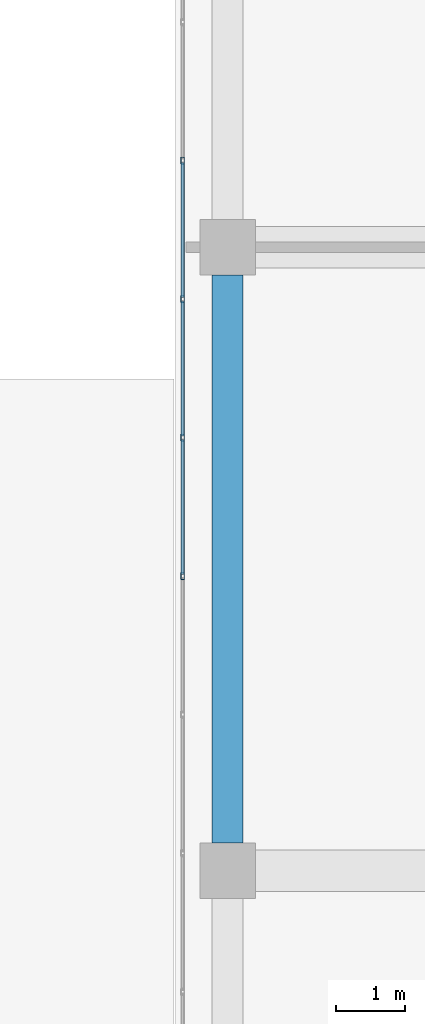
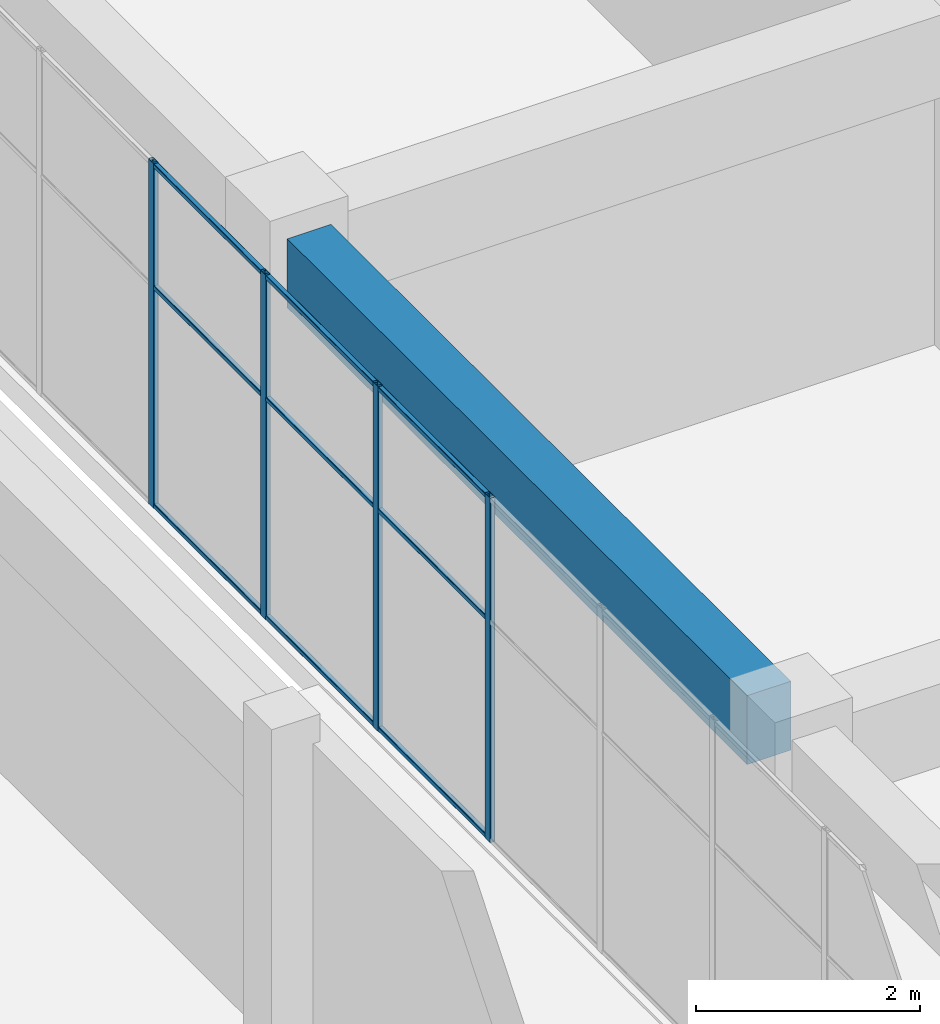
# One storey, part 26 of 66: 13 members, 1 beam, 1 element without a shape of its own.
"""IFC4 building model written with IfcOpenShell, lengths in metres."""

from ifc_helpers import new_model, si_unit, direction, frame, origin, origin_2d, place, context, subcontext, project, spatial, rectangle, hollow_rectangle, extrude, material, layer, layer_set, material_profile, profile_set, type_object, element, aggregate, save


model = new_model("IFC4")

# Units and contexts
model_context = context("Model", 3, precision=1e-05, world=origin(), true_north=direction((0.0, 1.0)))
body_context = subcontext(model_context, "Body", "Model", "MODEL_VIEW")
ifc_project = project(units=[si_unit("LENGTHUNIT", "METRE"), si_unit("AREAUNIT", "SQUARE_METRE"), si_unit("VOLUMEUNIT", "CUBIC_METRE"), si_unit("PLANEANGLEUNIT", "RADIAN"), si_unit("MASSUNIT", "GRAM", prefix="KILO")], contexts=[model_context])

# Site, building, storey
site_placement = place(None, origin())
site = spatial("IfcSite", under=ifc_project, at=site_placement, CompositionType="ELEMENT")
building_placement = place(site_placement, origin())
building = spatial("IfcBuilding", under=site, at=building_placement, Name="Tuart Plaza Theatre", CompositionType="ELEMENT")
storey_placement = place(building_placement, frame((0.0, 0.0, 5.5)))
storey = spatial("IfcBuildingStorey", under=building, at=storey_placement, Name="L01", CompositionType="ELEMENT", Elevation=5.5)

# Beam
ifc_material_1 = material(Name="Concrete N40 (40 MPa)", Category="concrete")
ifc_material_profile_1 = material_profile(ifc_material_1, rectangle(XDim=0.449951171875, YDim=0.75, at=origin_2d()), Name="BEAM 450x750 Concrete N40 (40 MPa)")
ifc_profile_set_1 = profile_set([ifc_material_profile_1], Name="Concrete N40 (40 MPa)")
beam_type = type_object("IfcBeamType", Name="BEAM 450x750 Concrete N40 (40 MPa)", PredefinedType="BEAM", material=ifc_profile_set_1)
beam_placement = place(storey_placement, frame((114.0, 65.39990234375, 3.375), z_axis=(0.0, 1.0, 0.0), x_axis=(-1.0, 0.0, 0.0)))
element("IfcBeam", 1, at=beam_placement, inside=storey, type_object=beam_type, Name="RB164", PredefinedType="BEAM", context=body_context, shape_type="SweptSolid", body=[
    extrude(rectangle(XDim=0.449951171875, YDim=0.75, at=origin_2d()), origin(), (0.0, 0.0, 1.0), 8.2001953125),
])

# Curtain wall, members
ifc_material_2 = material(Name="Aluminium and glass", Category="aluminium")
ifc_layer = layer(ifc_material_2, 0.10009765625)
ifc_layer_set = layer_set([ifc_layer], Name="CURTAIN WALL 2000 module")
curtain_wall_type = type_object("IfcCurtainWallType", Name="CURTAIN WALL 2000 module", PredefinedType="NOTDEFINED", material=ifc_layer_set)
curtain_wall_placement = place(storey_placement, origin())
curtain_wall = element("IfcCurtainWall", 2, at=curtain_wall_placement, inside=storey, type_object=curtain_wall_type, Name="CW73", PredefinedType="NOTDEFINED")
ifc_material_3 = material(Name="Aluminium 6063-T5", Category="aluminium")
ifc_material_profile_2 = material_profile(ifc_material_3, hollow_rectangle(XDim=0.050048828125, YDim=0.10009765625, WallThickness=0.00390625, InnerFilletRadius=0.00390625, OuterFilletRadius=0.008056640625, at=origin_2d()), Name="RHS 100x50x4")
ifc_profile_set_2 = profile_set([ifc_material_profile_2], Name="Aluminium 6063-T5")
member_type_1 = type_object("IfcMemberType", Name="MULLION RHS 100x50x4", PredefinedType="MULLION", material=ifc_profile_set_2)
member_1_placement = place(storey_placement, frame((113.35009765625, 75.25, 0.0), z_axis=(0.0, 0.0, 1.0), x_axis=(1.0, 0.0, 0.0)))
member_1 = element("IfcMember", 3, at=member_1_placement, type_object=member_type_1, Name="CW73 mullion 12", PredefinedType="MULLION", context=body_context, shape_type="SweptSolid", body=[
    extrude(hollow_rectangle(XDim=0.050048828125, YDim=0.10009765625, WallThickness=0.00390625, InnerFilletRadius=0.00390625, OuterFilletRadius=0.008056640625, at=origin_2d()), origin(), (0.0, 0.0, 1.0), 3.75),
])
member_2_placement = place(storey_placement, frame((113.35009765625, 73.25, 0.0), z_axis=(0.0, 0.0, 1.0), x_axis=(1.0, 0.0, 0.0)))
member_2 = element("IfcMember", 4, at=member_2_placement, type_object=member_type_1, Name="CW73 mullion 13", PredefinedType="MULLION", context=body_context, shape_type="SweptSolid", body=[
    extrude(hollow_rectangle(XDim=0.050048828125, YDim=0.10009765625, WallThickness=0.00390625, InnerFilletRadius=0.00390625, OuterFilletRadius=0.008056640625, at=origin_2d()), origin(), (0.0, 0.0, 1.0), 3.75),
])
member_3_placement = place(storey_placement, frame((113.35009765625, 71.25, 0.0), z_axis=(0.0, 0.0, 1.0), x_axis=(1.0, 0.0, 0.0)))
member_3 = element("IfcMember", 5, at=member_3_placement, type_object=member_type_1, Name="CW73 mullion 14", PredefinedType="MULLION", context=body_context, shape_type="SweptSolid", body=[
    extrude(hollow_rectangle(XDim=0.050048828125, YDim=0.10009765625, WallThickness=0.00390625, InnerFilletRadius=0.00390625, OuterFilletRadius=0.008056640625, at=origin_2d()), origin(), (0.0, 0.0, 1.0), 3.75),
])
member_4_placement = place(storey_placement, frame((113.35009765625, 69.25, 0.0), z_axis=(0.0, 0.0, 1.0), x_axis=(1.0, 0.0, 0.0)))
member_4 = element("IfcMember", 6, at=member_4_placement, type_object=member_type_1, Name="CW73 mullion 15", PredefinedType="MULLION", context=body_context, shape_type="SweptSolid", body=[
    extrude(hollow_rectangle(XDim=0.050048828125, YDim=0.10009765625, WallThickness=0.00390625, InnerFilletRadius=0.00390625, OuterFilletRadius=0.008056640625, at=origin_2d()), origin(), (0.0, 0.0, 1.0), 3.75),
])
ifc_material_4 = material(Name="Aluminium 6063-T5", Category="aluminium")
ifc_material_profile_3 = material_profile(ifc_material_4, hollow_rectangle(XDim=0.050048828125, YDim=0.050048828125, WallThickness=0.00390625, InnerFilletRadius=0.00390625, OuterFilletRadius=0.008056640625, at=origin_2d()), Name="RHS 50x50x4")
ifc_profile_set_3 = profile_set([ifc_material_profile_3], Name="Aluminium 6063-T5")
member_type_2 = type_object("IfcMemberType", Name="TRANSOM RHS 50x50x4", PredefinedType="USERDEFINED", material=ifc_profile_set_3)
member_5_placement = place(storey_placement, frame((113.35009765625, 75.22509765625, 0.02490234375), z_axis=(0.0, -1.0, 0.0), x_axis=(1.0, 0.0, 0.0)))
member_5 = element("IfcMember", 7, at=member_5_placement, type_object=member_type_2, Name="CW73 transom 12.1", ObjectType="TRANSOM", PredefinedType="USERDEFINED", context=body_context, shape_type="SweptSolid", body=[
    extrude(hollow_rectangle(XDim=0.050048828125, YDim=0.050048828125, WallThickness=0.00390625, InnerFilletRadius=0.00390625, OuterFilletRadius=0.008056640625, at=origin_2d()), origin(), (0.0, 0.0, 1.0), 1.9501953125),
])
member_6_placement = place(storey_placement, frame((113.35009765625, 75.22509765625, 2.39990234375), z_axis=(0.0, -1.0, 0.0), x_axis=(1.0, 0.0, 0.0)))
member_6 = element("IfcMember", 8, at=member_6_placement, type_object=member_type_2, Name="CW73 transom 12.2", ObjectType="TRANSOM", PredefinedType="USERDEFINED", context=body_context, shape_type="SweptSolid", body=[
    extrude(hollow_rectangle(XDim=0.050048828125, YDim=0.050048828125, WallThickness=0.00390625, InnerFilletRadius=0.00390625, OuterFilletRadius=0.008056640625, at=origin_2d()), origin(), (0.0, 0.0, 1.0), 1.9501953125),
])
member_7_placement = place(storey_placement, frame((113.35009765625, 75.22509765625, 3.72509765625), z_axis=(0.0, -1.0, 0.0), x_axis=(1.0, 0.0, 0.0)))
member_7 = element("IfcMember", 9, at=member_7_placement, type_object=member_type_2, Name="CW73 transom 12.3", ObjectType="TRANSOM", PredefinedType="USERDEFINED", context=body_context, shape_type="SweptSolid", body=[
    extrude(hollow_rectangle(XDim=0.050048828125, YDim=0.050048828125, WallThickness=0.00390625, InnerFilletRadius=0.00390625, OuterFilletRadius=0.008056640625, at=origin_2d()), origin(), (0.0, 0.0, 1.0), 1.9501953125),
])
member_8_placement = place(storey_placement, frame((113.35009765625, 73.22509765625, 0.02490234375), z_axis=(0.0, -1.0, 0.0), x_axis=(1.0, 0.0, 0.0)))
member_8 = element("IfcMember", 10, at=member_8_placement, type_object=member_type_2, Name="CW73 transom 13.1", ObjectType="TRANSOM", PredefinedType="USERDEFINED", context=body_context, shape_type="SweptSolid", body=[
    extrude(hollow_rectangle(XDim=0.050048828125, YDim=0.050048828125, WallThickness=0.00390625, InnerFilletRadius=0.00390625, OuterFilletRadius=0.008056640625, at=origin_2d()), origin(), (0.0, 0.0, 1.0), 1.9501953125),
])
member_9_placement = place(storey_placement, frame((113.35009765625, 73.22509765625, 2.39990234375), z_axis=(0.0, -1.0, 0.0), x_axis=(1.0, 0.0, 0.0)))
member_9 = element("IfcMember", 11, at=member_9_placement, type_object=member_type_2, Name="CW73 transom 13.2", ObjectType="TRANSOM", PredefinedType="USERDEFINED", context=body_context, shape_type="SweptSolid", body=[
    extrude(hollow_rectangle(XDim=0.050048828125, YDim=0.050048828125, WallThickness=0.00390625, InnerFilletRadius=0.00390625, OuterFilletRadius=0.008056640625, at=origin_2d()), origin(), (0.0, 0.0, 1.0), 1.9501953125),
])
member_10_placement = place(storey_placement, frame((113.35009765625, 73.22509765625, 3.72509765625), z_axis=(0.0, -1.0, 0.0), x_axis=(1.0, 0.0, 0.0)))
member_10 = element("IfcMember", 12, at=member_10_placement, type_object=member_type_2, Name="CW73 transom 13.3", ObjectType="TRANSOM", PredefinedType="USERDEFINED", context=body_context, shape_type="SweptSolid", body=[
    extrude(hollow_rectangle(XDim=0.050048828125, YDim=0.050048828125, WallThickness=0.00390625, InnerFilletRadius=0.00390625, OuterFilletRadius=0.008056640625, at=origin_2d()), origin(), (0.0, 0.0, 1.0), 1.9501953125),
])
member_11_placement = place(storey_placement, frame((113.35009765625, 71.22509765625, 0.02490234375), z_axis=(0.0, -1.0, 0.0), x_axis=(1.0, 0.0, 0.0)))
member_11 = element("IfcMember", 13, at=member_11_placement, type_object=member_type_2, Name="CW73 transom 14.1", ObjectType="TRANSOM", PredefinedType="USERDEFINED", context=body_context, shape_type="SweptSolid", body=[
    extrude(hollow_rectangle(XDim=0.050048828125, YDim=0.050048828125, WallThickness=0.00390625, InnerFilletRadius=0.00390625, OuterFilletRadius=0.008056640625, at=origin_2d()), origin(), (0.0, 0.0, 1.0), 1.9501953125),
])
member_12_placement = place(storey_placement, frame((113.35009765625, 71.22509765625, 2.39990234375), z_axis=(0.0, -1.0, 0.0), x_axis=(1.0, 0.0, 0.0)))
member_12 = element("IfcMember", 14, at=member_12_placement, type_object=member_type_2, Name="CW73 transom 14.2", ObjectType="TRANSOM", PredefinedType="USERDEFINED", context=body_context, shape_type="SweptSolid", body=[
    extrude(hollow_rectangle(XDim=0.050048828125, YDim=0.050048828125, WallThickness=0.00390625, InnerFilletRadius=0.00390625, OuterFilletRadius=0.008056640625, at=origin_2d()), origin(), (0.0, 0.0, 1.0), 1.9501953125),
])
member_13_placement = place(storey_placement, frame((113.35009765625, 71.22509765625, 3.72509765625), z_axis=(0.0, -1.0, 0.0), x_axis=(1.0, 0.0, 0.0)))
member_13 = element("IfcMember", 15, at=member_13_placement, type_object=member_type_2, Name="CW73 transom 14.3", ObjectType="TRANSOM", PredefinedType="USERDEFINED", context=body_context, shape_type="SweptSolid", body=[
    extrude(hollow_rectangle(XDim=0.050048828125, YDim=0.050048828125, WallThickness=0.00390625, InnerFilletRadius=0.00390625, OuterFilletRadius=0.008056640625, at=origin_2d()), origin(), (0.0, 0.0, 1.0), 1.9501953125),
])
aggregate(curtain_wall, [member_1, member_2, member_3, member_4, member_5, member_6, member_7, member_8, member_9, member_10, member_11, member_12, member_13])

save(model, "model.ifc")
